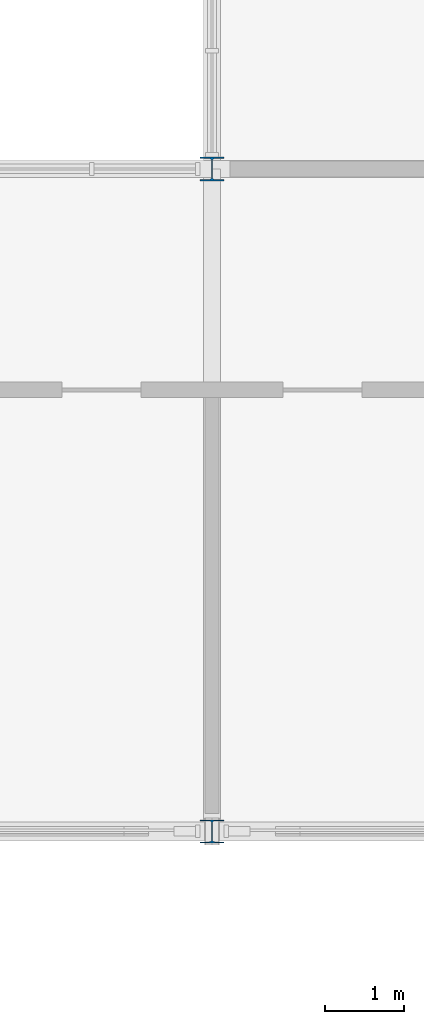
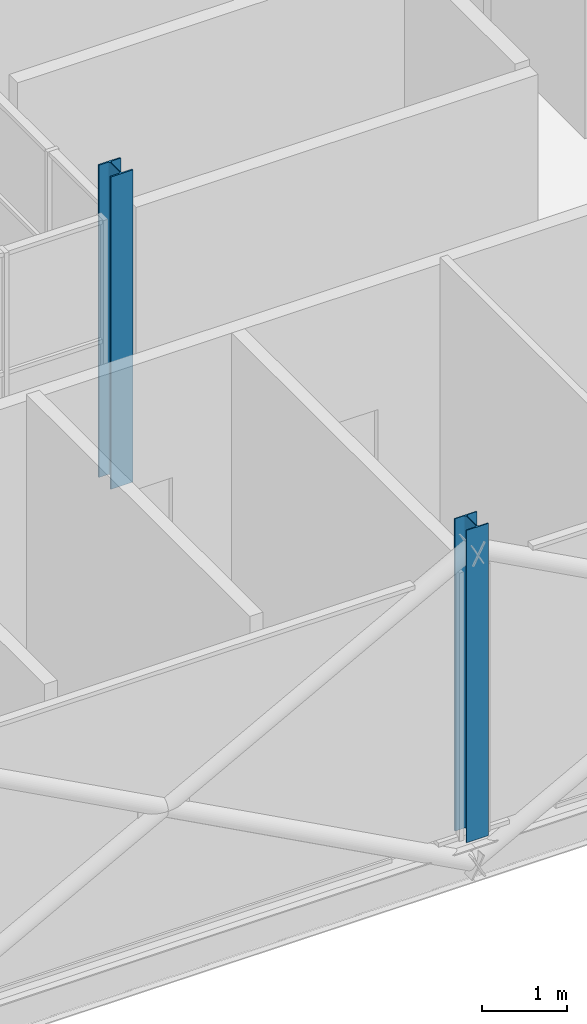
# One storey, part 4 of 129: 2 columns.
"""IFC4 building model written with IfcOpenShell, lengths in metres."""

import ifcopenshell
import ifcopenshell.guid

model = None  # the IFC model being written
_history = None  # IfcOwnerHistory: only IFC2X3 demands one
_inside = {}  # id of a spatial element -> (the spatial element, [elements in it])
_under = {}  # id of a project, library or spatial element -> (it, [spatial elements below it])
_declared = {}  # id of a project -> (the project, [libraries it declares])
_typed = {}  # id of a type object -> (the type object, [elements of that type])
_made_of = {}  # id of a material, layer set ... -> (it, [elements and type objects made of it])


def new_model(schema):
    """Start an empty IFC model of exactly this schema.

    Asked for "IFC4X3", IfcOpenShell would pick the latest addendum, in which some entities
    have other attributes; the version numbers below select the first issue.
    IFC2X3 requires an IfcOwnerHistory on every rooted entity: one is made here for all.
    """
    global model, _history
    if schema == "IFC4X3":
        model = ifcopenshell.file(schema_version=(4, 3, 0, 0))
    else:
        model = ifcopenshell.file(schema=schema)
    _inside.clear()
    _under.clear()
    _declared.clear()
    _typed.clear()
    _made_of.clear()
    _history = None
    if model.schema == "IFC2X3":
        org = make("IfcOrganization", Name="unknown")
        user = make(
            "IfcPersonAndOrganization",
            ThePerson=make("IfcPerson", FamilyName="unknown"),
            TheOrganization=org,
        )
        app = make(
            "IfcApplication",
            ApplicationDeveloper=org,
            Version="unknown",
            ApplicationFullName="unknown",
            ApplicationIdentifier="unknown",
        )
        _history = make(
            "IfcOwnerHistory",
            OwningUser=user,
            OwningApplication=app,
            ChangeAction="ADDED",
            CreationDate=0,
        )
    return model


def make(cls, **values):
    """One entity of the class cls with the attributes given. An attribute that is None is left unset."""
    return model.create_entity(
        cls, **{name: value for name, value in values.items() if value is not None}
    )


def rooted(cls, **values):
    """An entity with a GlobalId (a new one), such as an element, a storey or a relation."""
    return make(cls, GlobalId=ifcopenshell.guid.new(), OwnerHistory=_history, **values)


def si_unit(unit_type, name, prefix=None):
    """IfcSIUnit, for example si_unit("LENGTHUNIT", "METRE", prefix="MILLI")."""
    return make("IfcSIUnit", UnitType=unit_type, Prefix=prefix, Name=name)


def assignment(units):
    """IfcUnitAssignment: the units of a project."""
    return None if units is None else make("IfcUnitAssignment", Units=units)


def point(xyz):
    """IfcCartesianPoint."""
    return None if xyz is None else make("IfcCartesianPoint", Coordinates=xyz)


def direction(xyz):
    """IfcDirection."""
    return None if xyz is None else make("IfcDirection", DirectionRatios=xyz)


def frame(location, z_axis=None, x_axis=None):
    """IfcAxis2Placement3D, a coordinate frame: its origin and axes. An axis left out is left unset."""
    return make(
        "IfcAxis2Placement3D",
        Location=point(location),
        Axis=direction(z_axis),
        RefDirection=direction(x_axis),
    )


def frame_2d(location, x_axis=None):
    """IfcAxis2Placement2D, a coordinate frame in the plane: its origin and x axis."""
    return make(
        "IfcAxis2Placement2D", Location=point(location), RefDirection=direction(x_axis)
    )


def origin():
    """The frame at (0, 0, 0) with its axes left unset."""
    return frame((0.0, 0.0, 0.0))


def origin_2d():
    """The frame at (0, 0) in the plane with its x axis left unset."""
    return frame_2d((0.0, 0.0))


def place(relative_to, where):
    """IfcLocalPlacement: puts the frame where relative to a parent placement (None: the world)."""
    return make(
        "IfcLocalPlacement", PlacementRelTo=relative_to, RelativePlacement=where
    )


def context(
    kind, dimensions, precision=None, world=None, true_north=None, identifier=None
):
    """IfcGeometricRepresentationContext, for example the 3D "Model" context."""
    return make(
        "IfcGeometricRepresentationContext",
        ContextIdentifier=identifier,
        ContextType=kind,
        CoordinateSpaceDimension=dimensions,
        Precision=precision,
        WorldCoordinateSystem=world,
        TrueNorth=true_north,
    )


def subcontext(parent, identifier, kind, view, scale=None):
    """IfcGeometricRepresentationSubContext, for example "Body" below "Model"."""
    return make(
        "IfcGeometricRepresentationSubContext",
        ContextIdentifier=identifier,
        ContextType=kind,
        ParentContext=parent,
        TargetScale=scale,
        TargetView=view,
    )


def project(units=None, contexts=None):
    """IfcProject with its units and contexts."""
    return rooted(
        "IfcProject",
        Name="project",
        RepresentationContexts=contexts,
        UnitsInContext=assignment(units),
    )


def spatial(cls, under=None, at=None, **own):
    """A site, building, storey or space (cls), placed at a placement, below another one or the project."""
    s = rooted(cls, ObjectPlacement=at, **own)
    if under is not None:
        _under.setdefault(under.id(), (under, []))[1].append(s)
    return s


def profile(cls, at=None, kind="AREA", **sizes):
    """A parametric profile (cls). Its sizes go by their IFC names, for example OverallWidth=200.0."""
    return make(cls, ProfileType=kind, Position=at, **sizes)


def i_section(**sizes):
    """IfcIShapeProfileDef."""
    return profile("IfcIShapeProfileDef", **sizes)


def extrude(swept, where, along, depth):
    """IfcExtrudedAreaSolid: the profile swept, set in the frame where, extruded along a direction by depth."""
    return make(
        "IfcExtrudedAreaSolid",
        SweptArea=swept,
        Position=where,
        ExtrudedDirection=direction(along),
        Depth=depth,
    )


def shape(context_of_items, identifier, shape_type, items):
    """IfcShapeRepresentation: the items that make up one representation, for example the "Body"."""
    return make(
        "IfcShapeRepresentation",
        ContextOfItems=context_of_items,
        RepresentationIdentifier=identifier,
        RepresentationType=shape_type,
        Items=items,
    )


def material(Name=None, Category=None):
    """IfcMaterial."""
    return make("IfcMaterial", Name=Name, Category=Category)


def material_profile(
    of_material, cross_section, Name=None, Category=None, Priority=None
):
    """IfcMaterialProfile: a cross section and its material."""
    return make(
        "IfcMaterialProfile",
        Name=Name,
        Material=of_material,
        Profile=cross_section,
        Priority=Priority,
        Category=Category,
    )


def profile_set(profiles, Name=None, composite=None):
    """IfcMaterialProfileSet."""
    return make(
        "IfcMaterialProfileSet",
        Name=Name,
        MaterialProfiles=profiles,
        CompositeProfile=composite,
    )


def made_of(thing, what):
    """Note that an element or type object is made of a material, layer set ...; save() writes the relation."""
    if what is not None:
        _made_of.setdefault(what.id(), (what, []))[1].append(thing)
    return thing


def type_object(cls, material=None, **own):
    """A type object (cls), such as IfcWallType, which elements share."""
    return made_of(rooted(cls, **own), material)


def element(
    cls,
    number,
    at=None,
    inside=None,
    cuts=None,
    type_object=None,
    material=None,
    context=None,
    identifier="Body",
    shape_type=None,
    held_by="IfcProductDefinitionShape",
    body=None,
    shapes=None,
    **own,
):
    """One element of the class cls, such as IfcWall. Its Tag is "e" and its number.

    at: its placement. inside: the storey or other place that contains it. cuts: it is an
    opening in that element (IfcRelVoidsElement). A single representation is given by context,
    identifier, shape_type and body (its items); several are given by shapes. held_by: the class
    of the entity that holds the representations. save() writes the other relations.
    """
    e = rooted(cls, Tag="e%d" % number, ObjectPlacement=at, **own)
    if body is not None:
        shapes = [shape(context, identifier, shape_type, body)]
    if shapes is not None:
        e.Representation = make(held_by, Representations=shapes)
    if inside is not None:
        _inside.setdefault(inside.id(), (inside, []))[1].append(e)
    if cuts is not None:
        rooted(
            "IfcRelVoidsElement", RelatingBuildingElement=cuts, RelatedOpeningElement=e
        )
    if type_object is not None:
        _typed.setdefault(type_object.id(), (type_object, []))[1].append(e)
    return made_of(e, material)


def aggregate(whole, parts):
    """IfcRelAggregates: a whole, such as a stair, and the parts it consists of."""
    return rooted("IfcRelAggregates", RelatingObject=whole, RelatedObjects=parts)


def save(model, path):
    """Write the relations noted so far, then the file.

    IfcRelAggregates (storeys below a building ...), IfcRelContainedInSpatialStructure (elements
    in a storey), IfcRelDefinesByType, IfcRelAssociatesMaterial and IfcRelDeclares: one each for
    every whole, place, type object, material and project.
    """
    for whole, parts in _under.values():
        aggregate(whole, parts)
    for where, things in _inside.values():
        rooted(
            "IfcRelContainedInSpatialStructure",
            RelatedElements=things,
            RelatingStructure=where,
        )
    for kind, things in _typed.values():
        rooted("IfcRelDefinesByType", RelatedObjects=things, RelatingType=kind)
    for what, things in _made_of.values():
        rooted("IfcRelAssociatesMaterial", RelatedObjects=things, RelatingMaterial=what)
    for by, libraries in _declared.values():
        rooted("IfcRelDeclares", RelatingContext=by, RelatedDefinitions=libraries)
    model.write(path)


model = new_model("IFC4")

# Units and contexts
model_context = context("Model", 3, precision=1e-05, world=origin(), true_north=direction((0.0, 1.0)))
body_context = subcontext(model_context, "Body", "Model", "MODEL_VIEW")
ifc_project = project(units=[si_unit("LENGTHUNIT", "METRE"), si_unit("AREAUNIT", "SQUARE_METRE"), si_unit("VOLUMEUNIT", "CUBIC_METRE"), si_unit("PLANEANGLEUNIT", "RADIAN"), si_unit("MASSUNIT", "GRAM", prefix="KILO")], contexts=[model_context])

# Site, building, storey
site_placement = place(None, origin())
site = spatial("IfcSite", under=ifc_project, at=site_placement, CompositionType="ELEMENT")
building_placement = place(site_placement, origin())
building = spatial("IfcBuilding", under=site, at=building_placement, Name="Ardhachandra Cancer Care Centre", CompositionType="ELEMENT")
storey_placement = place(building_placement, frame((0.0, 0.0, 4.5)))
storey = spatial("IfcBuildingStorey", under=building, at=storey_placement, Name="L01", CompositionType="ELEMENT", Elevation=4.5)

# Columns
ifc_material_1 = material(Name="Steel E350 (IS 2062)", Category="steel")
ifc_material_profile_1 = material_profile(ifc_material_1, i_section(OverallWidth=0.300048828125, OverallDepth=0.300048828125, WebThickness=0.010986328125, FlangeThickness=0.01904296875, FilletRadius=0.027099609375, at=origin_2d()), Name="WPB 300x300x117.03")
ifc_profile_set_1 = profile_set([ifc_material_profile_1], Name="Steel E350 (IS 2062)")
column_type_1 = type_object("IfcColumnType", Name="Column WPB 300x300x117.03", PredefinedType="COLUMN", material=ifc_profile_set_1)
column_1_placement = place(storey_placement, frame((128.39990234375, 37.800048828125, 0.0), z_axis=(0.0, 0.0, 1.0), x_axis=(1.0, 0.0, 0.0)))
element("IfcColumn", 1, at=column_1_placement, inside=storey, type_object=column_type_1, Name="Column D15 L01", PredefinedType="COLUMN", context=body_context, shape_type="SweptSolid", body=[
    extrude(i_section(OverallWidth=0.300048828125, OverallDepth=0.300048828125, WebThickness=0.010986328125, FlangeThickness=0.01904296875, FilletRadius=0.027099609375, at=origin_2d()), origin(), (0.0, 0.0, 1.0), 4.5),
])
ifc_material_2 = material(Name="Steel E350 (IS 2062)", Category="steel")
ifc_material_profile_2 = material_profile(ifc_material_2, i_section(OverallWidth=0.300048828125, OverallDepth=0.2900390625, WebThickness=0.008544921875, FlangeThickness=0.013916015625, FilletRadius=0.027099609375, at=origin_2d()), Name="WPB 300x300x88.33")
ifc_profile_set_2 = profile_set([ifc_material_profile_2], Name="Steel E350 (IS 2062)")
column_type_2 = type_object("IfcColumnType", Name="Column WPB 300x300x88.33", PredefinedType="COLUMN", material=ifc_profile_set_2)
column_2_placement = place(storey_placement, frame((128.39990234375, 29.39990234375, 0.0), z_axis=(0.0, 0.0, 1.0), x_axis=(1.0, 0.0, 0.0)))
element("IfcColumn", 2, at=column_2_placement, inside=storey, type_object=column_type_2, Name="Column C15 L01", PredefinedType="COLUMN", context=body_context, shape_type="SweptSolid", body=[
    extrude(i_section(OverallWidth=0.300048828125, OverallDepth=0.2900390625, WebThickness=0.008544921875, FlangeThickness=0.013916015625, FilletRadius=0.027099609375, at=origin_2d()), origin(), (0.0, 0.0, 1.0), 4.5),
])

save(model, "model.ifc")
